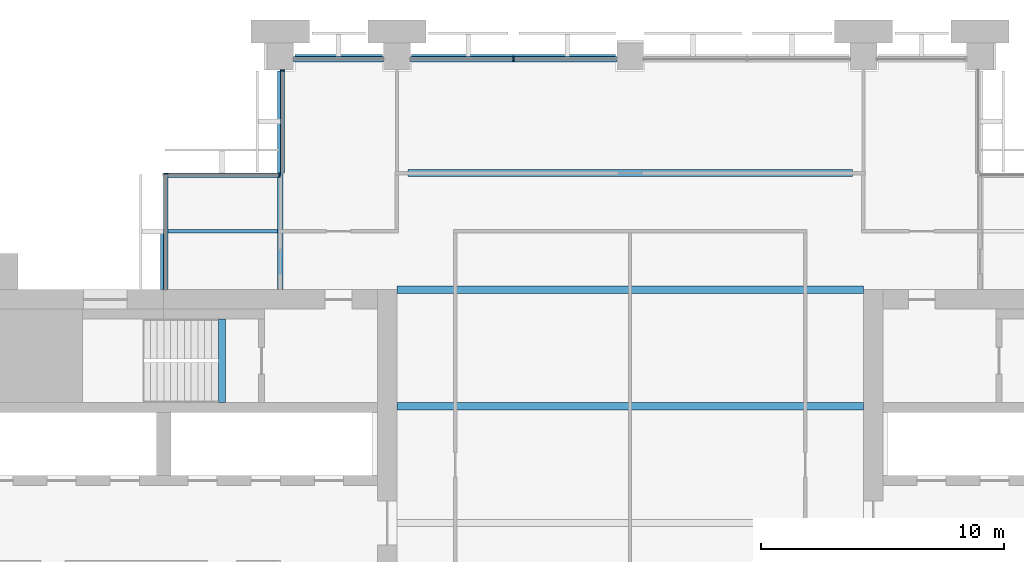
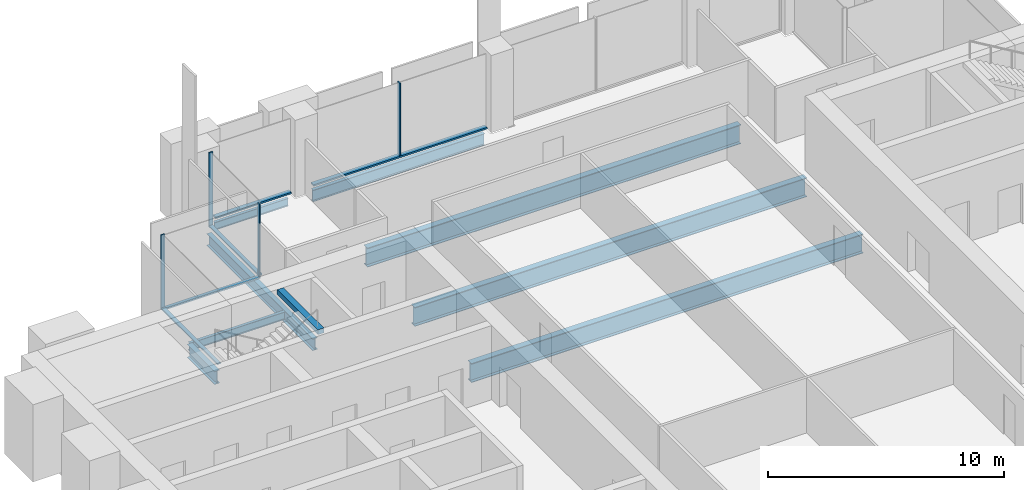
# One storey, part 5 of 13: 9 beams, 9 members, 4 elements without a shape of their own.
"""IFC4 building model written with IfcOpenShell, lengths in metres."""

from ifc_helpers import new_model, si_unit, direction, frame, origin, origin_2d, place, context, subcontext, project, spatial, rectangle, i_section, extrude, material, material_profile, profile_set, type_object, element, aggregate, save


model = new_model("IFC4")

# Units and contexts
model_context = context("Model", 3, precision=1e-05, world=origin(), true_north=direction((0.0, 1.0)))
body_context = subcontext(model_context, "Body", "Model", "MODEL_VIEW")
ifc_project = project(units=[si_unit("LENGTHUNIT", "METRE"), si_unit("AREAUNIT", "SQUARE_METRE"), si_unit("VOLUMEUNIT", "CUBIC_METRE"), si_unit("PLANEANGLEUNIT", "RADIAN"), si_unit("MASSUNIT", "GRAM", prefix="KILO")], contexts=[model_context])

# Site, building, storey
site_placement = place(None, origin())
site = spatial("IfcSite", under=ifc_project, at=site_placement, CompositionType="ELEMENT")
building_placement = place(site_placement, origin())
building = spatial("IfcBuilding", under=site, at=building_placement, Name="Baori Bourse Tower", CompositionType="ELEMENT")
storey_placement = place(building_placement, frame((0.0, 0.0, 193.199951171875)))
storey = spatial("IfcBuildingStorey", under=building, at=storey_placement, Name="L41", CompositionType="ELEMENT", Elevation=193.199951171875)

# Curtain wall, member
ifc_material_1 = material(Name="Pale anodised aluminium", Category="aluminium")
curtain_wall_type_1 = type_object("IfcCurtainWallType", Name="CW2 Curtain wall", PredefinedType="NOTDEFINED", material=ifc_material_1)
curtain_wall_1_placement = place(storey_placement, origin())
curtain_wall_1 = element("IfcCurtainWall", 1, at=curtain_wall_1_placement, inside=storey, type_object=curtain_wall_type_1, Name="Curtain wall CW2 L41 5", PredefinedType="NOTDEFINED")
ifc_material_2 = material(Name="Pale anodised aluminium", Category="aluminium")
ifc_material_profile_1 = material_profile(ifc_material_2, rectangle(XDim=0.179931640625, YDim=0.054931640625, at=origin_2d()), Name="Mullion 55x180")
ifc_profile_set_1 = profile_set([ifc_material_profile_1], Name="Pale anodised aluminium")
member_type_1 = type_object("IfcMemberType", Name="CW2 Curtain wall mullion", PredefinedType="MULLION", material=ifc_profile_set_1)
member_1_placement = place(storey_placement, frame((14.489990234375, 47.422607421875, 0.070068359375), z_axis=(0.0, 0.0, 1.0), x_axis=(1.0, 0.0, 0.0)))
member_1 = element("IfcMember", 2, at=member_1_placement, type_object=member_type_1, Name="Curtain wall CW2 mullion", PredefinedType="MULLION", context=body_context, shape_type="SweptSolid", body=[
    extrude(rectangle(XDim=0.179931640625, YDim=0.054931640625, at=origin_2d()), origin(), (0.0, 0.0, 1.0), 3.77001953125),
])

curtain_wall_2_placement = place(storey_placement, origin())
curtain_wall_2 = element("IfcCurtainWall", 3, at=curtain_wall_2_placement, inside=storey, type_object=curtain_wall_type_1, Name="Curtain wall CW2 L41 6", PredefinedType="NOTDEFINED")
member_2_placement = place(storey_placement, frame((14.37255859375, 43.110107421875, 0.070068359375), z_axis=(0.0, 0.0, 1.0), x_axis=(0.0, -1.0, 0.0)))
member_2 = element("IfcMember", 4, at=member_2_placement, type_object=member_type_1, Name="Curtain wall CW2 mullion", PredefinedType="MULLION", context=body_context, shape_type="SweptSolid", body=[
    extrude(rectangle(XDim=0.179931640625, YDim=0.054931640625, at=origin_2d()), origin(), (0.0, 0.0, 1.0), 3.77001953125),
])

curtain_wall_3_placement = place(storey_placement, origin())
curtain_wall_3 = element("IfcCurtainWall", 5, at=curtain_wall_3_placement, inside=storey, type_object=curtain_wall_type_1, Name="Curtain wall CW2 L41 7", PredefinedType="NOTDEFINED")
member_3_placement = place(storey_placement, frame((9.68994140625, 43.172607421875, 0.070068359375), z_axis=(0.0, 0.0, 1.0), x_axis=(1.0, 0.0, 0.0)))
member_3 = element("IfcMember", 6, at=member_3_placement, type_object=member_type_1, Name="Curtain wall CW2 mullion", PredefinedType="MULLION", context=body_context, shape_type="SweptSolid", body=[
    extrude(rectangle(XDim=0.179931640625, YDim=0.054931640625, at=origin_2d()), origin(), (0.0, 0.0, 1.0), 3.77001953125),
])

# Member
ifc_material_3 = material(Name="Pale anodised aluminium", Category="aluminium")
ifc_material_profile_2 = material_profile(ifc_material_3, rectangle(XDim=0.179931640625, YDim=0.070068359375, at=origin_2d()), Name="Transom 70x180")
ifc_profile_set_2 = profile_set([ifc_material_profile_2], Name="Pale anodised aluminium")
member_type_2 = type_object("IfcMemberType", Name="CW2 Curtain wall transom", PredefinedType="USERDEFINED", material=ifc_profile_set_2)
member_4_placement = place(storey_placement, frame((14.489990234375, 47.449951171875, 0.03515625), z_axis=(0.0, -1.0, 0.0), x_axis=(1.0, 0.0, 0.0)))
member_4 = element("IfcMember", 7, at=member_4_placement, type_object=member_type_2, Name="Curtain wall CW2 sill rail", ObjectType="TRANSOM", PredefinedType="USERDEFINED", context=body_context, shape_type="SweptSolid", body=[
    extrude(rectangle(XDim=0.179931640625, YDim=0.070068359375, at=origin_2d()), origin(), (0.0, 0.0, 1.0), 4.25),
])

aggregate(curtain_wall_1, [member_4, member_1])

member_5_placement = place(storey_placement, frame((14.39990234375, 43.110107421875, 0.03515625), z_axis=(-1.0, 0.0, 0.0), x_axis=(0.0, -1.0, 0.0)))
member_5 = element("IfcMember", 8, at=member_5_placement, type_object=member_type_2, Name="Curtain wall CW2 sill rail", ObjectType="TRANSOM", PredefinedType="USERDEFINED", context=body_context, shape_type="SweptSolid", body=[
    extrude(rectangle(XDim=0.179931640625, YDim=0.070068359375, at=origin_2d()), origin(), (0.0, 0.0, 1.0), 4.7998046875),
])

aggregate(curtain_wall_2, [member_5, member_2])

member_6_placement = place(storey_placement, frame((9.68994140625, 43.199951171875, 0.03515625), z_axis=(0.0, -1.0, 0.0), x_axis=(1.0, 0.0, 0.0)))
member_6 = element("IfcMember", 9, at=member_6_placement, type_object=member_type_2, Name="Curtain wall CW2 sill rail", ObjectType="TRANSOM", PredefinedType="USERDEFINED", context=body_context, shape_type="SweptSolid", body=[
    extrude(rectangle(XDim=0.179931640625, YDim=0.070068359375, at=origin_2d()), origin(), (0.0, 0.0, 1.0), 4.800048828125),
])

aggregate(curtain_wall_3, [member_6, member_3])

# Curtain wall, members
ifc_material_4 = material(Name="Pale anodised aluminium", Category="aluminium")
curtain_wall_type_2 = type_object("IfcCurtainWallType", Name="CW5 Curtain wall", PredefinedType="NOTDEFINED", material=ifc_material_4)
curtain_wall_4_placement = place(storey_placement, origin())
curtain_wall_4 = element("IfcCurtainWall", 10, at=curtain_wall_4_placement, inside=storey, type_object=curtain_wall_type_2, Name="Curtain wall CW5 L41 4", PredefinedType="NOTDEFINED")
ifc_material_5 = material(Name="Pale anodised aluminium", Category="aluminium")
ifc_material_profile_3 = material_profile(ifc_material_5, rectangle(XDim=0.219970703125, YDim=0.06494140625, at=origin_2d()), Name="Mullion 65x220")
ifc_profile_set_3 = profile_set([ifc_material_profile_3], Name="Pale anodised aluminium")
member_type_3 = type_object("IfcMemberType", Name="CW5 Curtain wall mullion", PredefinedType="MULLION", material=ifc_profile_set_3)
member_7_placement = place(storey_placement, frame((24.0, 47.889892578125, 0.0849609375), z_axis=(0.0, 0.0, 1.0), x_axis=(0.0, -1.0, 0.0)))
member_7 = element("IfcMember", 11, at=member_7_placement, type_object=member_type_3, Name="Curtain wall CW5 mullion", PredefinedType="MULLION", context=body_context, shape_type="SweptSolid", body=[
    extrude(rectangle(XDim=0.219970703125, YDim=0.06494140625, at=origin_2d()), origin(), (0.0, 0.0, 1.0), 3.755126953125),
])
ifc_material_6 = material(Name="Pale anodised aluminium", Category="aluminium")
ifc_material_profile_4 = material_profile(ifc_material_6, rectangle(XDim=0.219970703125, YDim=0.0849609375, at=origin_2d()), Name="Transom 85x220")
ifc_profile_set_4 = profile_set([ifc_material_profile_4], Name="Pale anodised aluminium")
member_type_4 = type_object("IfcMemberType", Name="CW5 Curtain wall transom", PredefinedType="USERDEFINED", material=ifc_profile_set_4)
member_8_placement = place(storey_placement, frame((28.25, 47.889892578125, 0.04248046875), z_axis=(-1.0, 0.0, 0.0), x_axis=(0.0, -1.0, 0.0)))
member_8 = element("IfcMember", 12, at=member_8_placement, type_object=member_type_4, Name="Curtain wall CW5 sill rail", ObjectType="TRANSOM", PredefinedType="USERDEFINED", context=body_context, shape_type="SweptSolid", body=[
    extrude(rectangle(XDim=0.219970703125, YDim=0.0849609375, at=origin_2d()), origin(), (0.0, 0.0, 1.0), 8.5),
])
member_9_placement = place(storey_placement, frame((18.64990234375, 47.889892578125, 0.04248046875), z_axis=(-1.0, 0.0, 0.0), x_axis=(0.0, -1.0, 0.0)))
member_9 = element("IfcMember", 13, at=member_9_placement, type_object=member_type_4, Name="Curtain wall CW5 sill rail", ObjectType="TRANSOM", PredefinedType="USERDEFINED", context=body_context, shape_type="SweptSolid", body=[
    extrude(rectangle(XDim=0.219970703125, YDim=0.0849609375, at=origin_2d()), origin(), (0.0, 0.0, 1.0), 3.699951171875),
])
aggregate(curtain_wall_4, [member_8, member_7, member_9])

# Beams
ifc_material_7 = material(Name="Steel A992 Gr 50", Category="steel")
ifc_material_profile_5 = material_profile(ifc_material_7, i_section(OverallWidth=0.25390625, OverallDepth=0.67822265625, WebThickness=0.01171875, FlangeThickness=0.016357421875, at=origin_2d()), Name="W27x84")
ifc_profile_set_5 = profile_set([ifc_material_profile_5], Name="Steel A992 Gr 50")
beam_type_1 = type_object("IfcBeamType", Name="Core bracket W27x84", PredefinedType="BEAM", material=ifc_profile_set_5)
beam_1_placement = place(storey_placement, frame((9.60009765625, 38.39990234375, -0.63916015625), z_axis=(0.0, 1.0, 0.0), x_axis=(-1.0, 0.0, 0.0)))
element("IfcBeam", 14, at=beam_1_placement, inside=storey, type_object=beam_type_1, Name="Core bracket L41", PredefinedType="BEAM", context=body_context, shape_type="SweptSolid", body=[
    extrude(i_section(OverallWidth=0.25390625, OverallDepth=0.67822265625, WebThickness=0.01171875, FlangeThickness=0.016357421875, at=origin_2d()), origin(), (0.0, 0.0, 1.0), 2.329833984375),
])
ifc_material_8 = material(Name="Steel A992 Gr 50", Category="steel")
ifc_material_profile_6 = material_profile(ifc_material_8, i_section(OverallWidth=0.140380859375, OverallDepth=0.40380859375, WebThickness=0.007080078125, FlangeThickness=0.01123046875, at=origin_2d()), Name="W16x31")
ifc_profile_set_6 = profile_set([ifc_material_profile_6], Name="Steel A992 Gr 50")
beam_type_2 = type_object("IfcBeamType", Name="Edge beam W16x31", PredefinedType="BEAM", material=ifc_profile_set_6)
beam_2_placement = place(storey_placement, frame((15.0, 48.0, -0.501953125), z_axis=(1.0, 0.0, 0.0), x_axis=(0.0, 1.0, 0.0)))
element("IfcBeam", 15, at=beam_2_placement, inside=storey, type_object=beam_type_2, Name="Edge beam L41", PredefinedType="BEAM", context=body_context, shape_type="SweptSolid", body=[
    extrude(i_section(OverallWidth=0.140380859375, OverallDepth=0.40380859375, WebThickness=0.007080078125, FlangeThickness=0.01123046875, at=origin_2d()), origin(), (0.0, 0.0, 1.0), 3.60009765625),
])
ifc_material_9 = material(Name="Steel A992 Gr 50", Category="steel")
ifc_material_profile_7 = material_profile(ifc_material_9, i_section(OverallWidth=0.177978515625, OverallDepth=0.599365234375, WebThickness=0.010009765625, FlangeThickness=0.012939453125, at=origin_2d()), Name="W24x55")
ifc_profile_set_7 = profile_set([ifc_material_profile_7], Name="Steel A992 Gr 50")
beam_type_3 = type_object("IfcBeamType", Name="Edge beam W24x55", PredefinedType="BEAM", material=ifc_profile_set_7)
beam_3_placement = place(storey_placement, frame((19.800048828125, 48.0, -0.599609375), z_axis=(1.0, 0.0, 0.0), x_axis=(0.0, 1.0, 0.0)))
element("IfcBeam", 16, at=beam_3_placement, inside=storey, type_object=beam_type_3, Name="Edge beam L41", PredefinedType="BEAM", context=body_context, shape_type="SweptSolid", body=[
    extrude(i_section(OverallWidth=0.177978515625, OverallDepth=0.599365234375, WebThickness=0.010009765625, FlangeThickness=0.012939453125, at=origin_2d()), origin(), (0.0, 0.0, 1.0), 8.39990234375),
])
ifc_material_10 = material(Name="Steel A992 Gr 50", Category="steel")
ifc_material_profile_8 = material_profile(ifc_material_10, i_section(OverallWidth=0.22900390625, OverallDepth=0.612060546875, WebThickness=0.011962890625, FlangeThickness=0.01953125, at=origin_2d()), Name="W24x84")
ifc_profile_set_8 = profile_set([ifc_material_profile_8], Name="Steel A992 Gr 50")
beam_type_4 = type_object("IfcBeamType", Name="Floor beam W24x84", PredefinedType="BEAM", material=ifc_profile_set_8)
beam_4_placement = place(storey_placement, frame((14.39990234375, 38.39990234375, -0.60595703125), z_axis=(0.0, 1.0, 0.0), x_axis=(-1.0, 0.0, 0.0)))
element("IfcBeam", 17, at=beam_4_placement, inside=storey, type_object=beam_type_4, Name="Floor beam L41", PredefinedType="BEAM", context=body_context, shape_type="SweptSolid", body=[
    extrude(i_section(OverallWidth=0.22900390625, OverallDepth=0.612060546875, WebThickness=0.011962890625, FlangeThickness=0.01953125, at=origin_2d()), origin(), (0.0, 0.0, 1.0), 9.0),
])
ifc_material_11 = material(Name="Steel A992 Gr 50", Category="steel")
ifc_material_profile_9 = material_profile(ifc_material_11, i_section(OverallWidth=0.2998046875, OverallDepth=0.990478515625, WebThickness=0.0166015625, FlangeThickness=0.030517578125, at=origin_2d()), Name="W40x183")
ifc_profile_set_9 = profile_set([ifc_material_profile_9], Name="Steel A992 Gr 50")
beam_type_5 = type_object("IfcBeamType", Name="Floor beam W40x183", PredefinedType="BEAM", material=ifc_profile_set_9)
for number, where, z_axis, x_axis, name in (
    (18, (19.199951171875, 33.60009765625, -0.795166015625), (1.0, 0.0, 0.0), (0.0, 1.0, 0.0), "Floor beam L41"),
    (19, (19.199951171875, 38.39990234375, -0.795166015625), (1.0, 0.0, 0.0), (0.0, 1.0, 0.0), "Floor beam L41"),
):
    element("IfcBeam", number, at=place(storey_placement, frame(where, z_axis=z_axis, x_axis=x_axis)), inside=storey, type_object=beam_type_5, Name=name, PredefinedType="BEAM", context=body_context, shape_type="SweptSolid", body=[
        extrude(i_section(OverallWidth=0.2998046875, OverallDepth=0.990478515625, WebThickness=0.0166015625, FlangeThickness=0.030517578125, at=origin_2d()), origin(), (0.0, 0.0, 1.0), 19.199951171875),
    ])
beam_5_placement = place(storey_placement, frame((19.64990234375, 43.199951171875, -0.795166015625), z_axis=(1.0, 0.0, 0.0), x_axis=(0.0, 1.0, 0.0)))
element("IfcBeam", 20, at=beam_5_placement, inside=storey, type_object=beam_type_5, Name="Floor beam L41", PredefinedType="BEAM", context=body_context, shape_type="SweptSolid", body=[
    extrude(i_section(OverallWidth=0.2998046875, OverallDepth=0.990478515625, WebThickness=0.0166015625, FlangeThickness=0.030517578125, at=origin_2d()), origin(), (0.0, 0.0, 1.0), 18.300048828125),
])
ifc_material_12 = material(Name="Concrete f'c 50 MPa", Category="concrete")
ifc_material_profile_10 = material_profile(ifc_material_12, rectangle(XDim=0.300048828125, YDim=0.25, at=origin_2d()), Name="RC 300x250")
ifc_profile_set_10 = profile_set([ifc_material_profile_10], Name="Concrete f'c 50 MPa")
beam_type_6 = type_object("IfcBeamType", Name="Stair nib beam RC 300x250", PredefinedType="BEAM", material=ifc_profile_set_10)
beam_6_placement = place(storey_placement, frame((12.0, 33.75, 3.715087890625), z_axis=(0.0, 1.0, 0.0), x_axis=(-1.0, 0.0, 0.0)))
element("IfcBeam", 21, at=beam_6_placement, inside=storey, type_object=beam_type_6, Name="Stair WB nib beam L42", PredefinedType="BEAM", context=body_context, shape_type="SweptSolid", body=[
    extrude(rectangle(XDim=0.300048828125, YDim=0.25, at=origin_2d()), origin(), (0.0, 0.0, 1.0), 3.449951171875),
])
ifc_material_13 = material(Name="Steel A992 Gr 50", Category="steel")
ifc_material_profile_11 = material_profile(ifc_material_13, i_section(OverallWidth=0.140380859375, OverallDepth=0.40380859375, WebThickness=0.007080078125, FlangeThickness=0.01123046875, at=origin_2d()), Name="W16x31")
ifc_profile_set_11 = profile_set([ifc_material_profile_11], Name="Steel A992 Gr 50")
beam_type_7 = type_object("IfcBeamType", Name="Trimmer beam W16x31", PredefinedType="BEAM", material=ifc_profile_set_11)
beam_7_placement = place(storey_placement, frame((9.60009765625, 40.800048828125, -0.501953125), z_axis=(1.0, 0.0, 0.0), x_axis=(0.0, 1.0, 0.0)))
element("IfcBeam", 22, at=beam_7_placement, inside=storey, type_object=beam_type_7, Name="Trimmer beam L41", PredefinedType="BEAM", context=body_context, shape_type="SweptSolid", body=[
    extrude(i_section(OverallWidth=0.140380859375, OverallDepth=0.40380859375, WebThickness=0.007080078125, FlangeThickness=0.01123046875, at=origin_2d()), origin(), (0.0, 0.0, 1.0), 4.685302734375),
])

save(model, "model.ifc")
